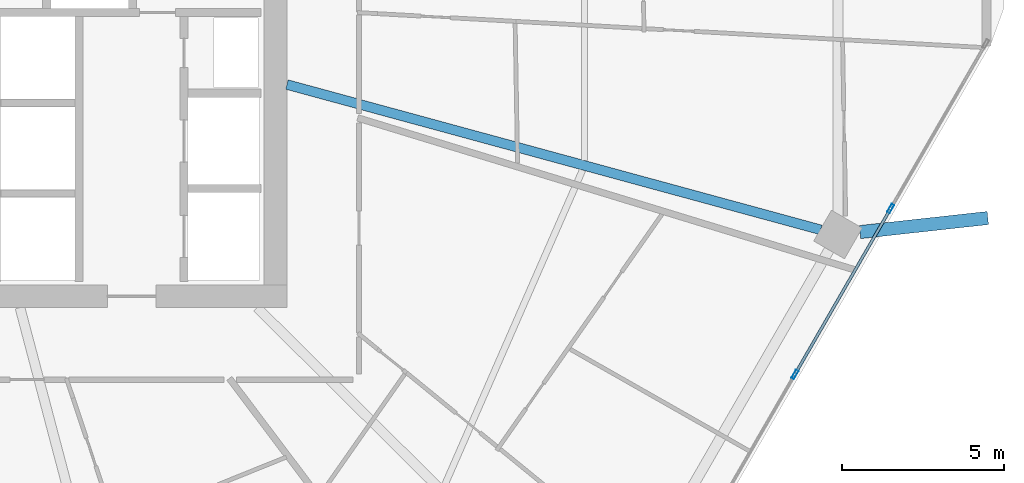
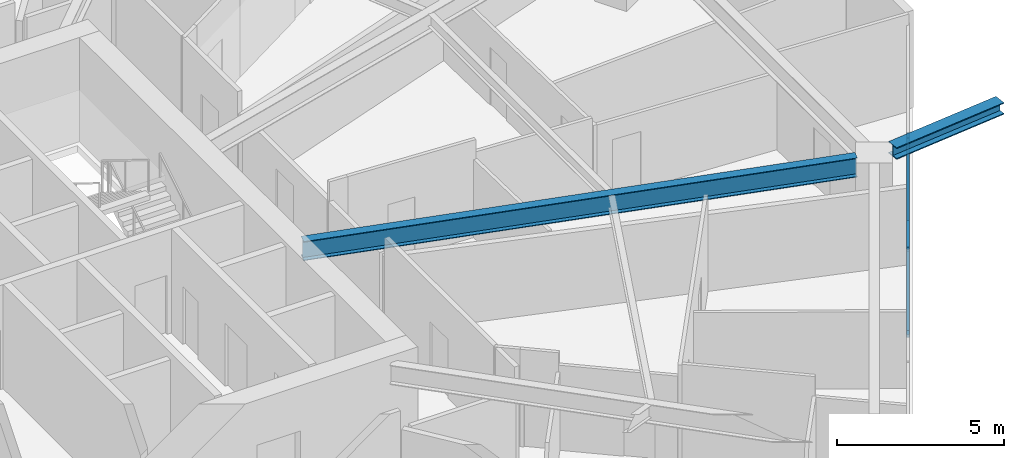
# One storey, part 11 of 33: 4 members, 2 beams, 1 element without a shape of its own.
"""IFC4 building model written with IfcOpenShell, lengths in metres."""

from ifc_helpers import new_model, si_unit, direction, frame, origin, origin_2d, place, context, subcontext, project, spatial, hollow_rectangle, i_section, extrude, material, material_profile, profile_set, type_object, element, aggregate, save


model = new_model("IFC4")

# Units and contexts
model_context = context("Model", 3, precision=1e-05, world=origin(), true_north=direction((0.0, 1.0)))
body_context = subcontext(model_context, "Body", "Model", "MODEL_VIEW")
ifc_project = project(units=[si_unit("LENGTHUNIT", "METRE"), si_unit("AREAUNIT", "SQUARE_METRE"), si_unit("VOLUMEUNIT", "CUBIC_METRE"), si_unit("PLANEANGLEUNIT", "RADIAN"), si_unit("MASSUNIT", "GRAM", prefix="KILO")], contexts=[model_context])

# Site, building, storey
site_placement = place(None, origin())
site = spatial("IfcSite", under=ifc_project, at=site_placement, CompositionType="ELEMENT")
building_placement = place(site_placement, origin())
building = spatial("IfcBuilding", under=site, at=building_placement, Name="Zuhravey Tower", CompositionType="ELEMENT")
storey_placement = place(building_placement, frame((0.0, 0.0, 103.800048828125)))
storey = spatial("IfcBuildingStorey", under=building, at=storey_placement, Name="L25", CompositionType="ELEMENT", Elevation=103.800048828125)

# Curtain wall, members
ifc_material_1 = material(Name="Thermally broken anodised aluminium", Category="aluminium")
curtain_wall_type = type_object("IfcCurtainWallType", Name="Zone 1-2 Residential Curtain Wall CW3", PredefinedType="NOTDEFINED", material=ifc_material_1)
curtain_wall_placement = place(storey_placement, origin())
curtain_wall = element("IfcCurtainWall", 1, at=curtain_wall_placement, inside=storey, type_object=curtain_wall_type, Name="L25 CW3 CW-L25-F6-1", PredefinedType="NOTDEFINED")
ifc_material_2 = material(Name="Anodised aluminium", Category="aluminium")
ifc_material_profile_1 = material_profile(ifc_material_2, hollow_rectangle(XDim=0.090087890625, YDim=0.284912109375, WallThickness=0.0048828125, at=origin_2d()), Name="ALU-RHS-90x285x5")
ifc_profile_set_1 = profile_set([ifc_material_profile_1], Name="Anodised aluminium")
member_type_1 = type_object("IfcMemberType", Name="Curtain-Wall Mullion 90x180", PredefinedType="MULLION", material=ifc_profile_set_1)
member_1_placement = place(storey_placement, frame((65.5185546875, 25.210693359375, 0.0), z_axis=(0.0, 0.0, 1.0), x_axis=(0.86602552265, -0.499999794119, 0.0)))
member_1 = element("IfcMember", 2, at=member_1_placement, type_object=member_type_1, Name="CW3 mullion 2", PredefinedType="MULLION", context=body_context, shape_type="SweptSolid", body=[
    extrude(hollow_rectangle(XDim=0.090087890625, YDim=0.284912109375, WallThickness=0.0048828125, at=origin_2d()), origin(), (0.0, 0.0, 1.0), 3.1220703125),
])
member_2_placement = place(storey_placement, frame((62.55859375, 20.083984375, 0.0), z_axis=(0.0, 0.0, 1.0), x_axis=(0.86602552265, -0.499999794119, 0.0)))
member_2 = element("IfcMember", 3, at=member_2_placement, type_object=member_type_1, Name="CW3 mullion 3", PredefinedType="MULLION", context=body_context, shape_type="SweptSolid", body=[
    extrude(hollow_rectangle(XDim=0.090087890625, YDim=0.284912109375, WallThickness=0.0048828125, at=origin_2d()), origin(), (0.0, 0.0, 1.0), 3.1220703125),
])
ifc_material_profile_2 = material_profile(ifc_material_2, hollow_rectangle(XDim=0.090087890625, YDim=0.14990234375, WallThickness=0.0048828125, at=origin_2d()), Name="ALU-RHS-90x150x5")
ifc_profile_set_2 = profile_set([ifc_material_profile_2], Name="Anodised aluminium")
member_type_2 = type_object("IfcMemberType", Name="Curtain-Wall Transom 90x150", PredefinedType="USERDEFINED", material=ifc_profile_set_2)
member_3_placement = place(storey_placement, frame((65.49609375, 25.171875, 0.044921875), z_axis=(-0.499981042766, -0.866036348472, 0.0), x_axis=(0.866036348472, -0.499981042766, 0.0)))
member_3 = element("IfcMember", 4, at=member_3_placement, type_object=member_type_2, Name="CW3 transom 2.1", ObjectType="TRANSOM", PredefinedType="USERDEFINED", context=body_context, shape_type="SweptSolid", body=[
    extrude(hollow_rectangle(XDim=0.090087890625, YDim=0.14990234375, WallThickness=0.0048828125, at=origin_2d()), origin(), (0.0, 0.0, 1.0), 5.829833984375),
])
member_4_placement = place(storey_placement, frame((65.49609375, 25.171875, 3.076904296875), z_axis=(-0.499981042766, -0.866036348472, 0.0), x_axis=(0.866036348472, -0.499981042766, 0.0)))
member_4 = element("IfcMember", 5, at=member_4_placement, type_object=member_type_2, Name="CW3 transom 2.2", ObjectType="TRANSOM", PredefinedType="USERDEFINED", context=body_context, shape_type="SweptSolid", body=[
    extrude(hollow_rectangle(XDim=0.090087890625, YDim=0.14990234375, WallThickness=0.0048828125, at=origin_2d()), origin(), (0.0, 0.0, 1.0), 5.829833984375),
])
aggregate(curtain_wall, [member_1, member_2, member_3, member_4])

# Beams
ifc_material_3 = material(Name="Steel SM460", Category="steel")
ifc_material_profile_3 = material_profile(ifc_material_3, i_section(OverallWidth=0.406982421875, OverallDepth=0.427978515625, WebThickness=0.02001953125, FlangeThickness=0.034912109375, at=origin_2d()), Name="H-428x407x20x35")
ifc_profile_set_3 = profile_set([ifc_material_profile_3], Name="Steel SM460")
beam_type_1 = type_object("IfcBeamType", Name="Exoskeleton Node Tie Beam H428x407", PredefinedType="BEAM", material=ifc_profile_set_3)
beam_1_placement = place(storey_placement, frame((64.5712890625, 24.4833984375, 3.3359375), z_axis=(0.994005957907, 0.109325914797, 0.0), x_axis=(-0.109325914797, 0.994005957907, 0.0)))
element("IfcBeam", 6, at=beam_1_placement, inside=storey, type_object=beam_type_1, Name="L25 Exoskeleton Node Tie NT1-12", PredefinedType="BEAM", context=body_context, shape_type="SweptSolid", body=[
    extrude(i_section(OverallWidth=0.406982421875, OverallDepth=0.427978515625, WebThickness=0.02001953125, FlangeThickness=0.034912109375, at=origin_2d()), origin(), (0.0, 0.0, 1.0), 3.97509765625),
])
ifc_material_4 = material(Name="Steel SM355", Category="steel")
ifc_material_profile_4 = material_profile(ifc_material_4, i_section(OverallWidth=0.300048828125, OverallDepth=0.699951171875, WebThickness=0.012939453125, FlangeThickness=0.02392578125, at=origin_2d()), Name="H-700x300x13x24")
ifc_profile_set_4 = profile_set([ifc_material_profile_4], Name="Steel SM355")
beam_type_2 = type_object("IfcBeamType", Name="Radial Primary Girder H700x300", PredefinedType="BEAM", material=ifc_profile_set_4)
beam_2_placement = place(storey_placement, frame((46.85302734375, 29.045654296875, 3.199951171875), z_axis=(0.964893166225, -0.262642680791, 0.0), x_axis=(0.262642680791, 0.964893166225, 0.0)))
element("IfcBeam", 7, at=beam_2_placement, inside=storey, type_object=beam_type_2, Name="L25 RG1 BM-L25-RAD-12", PredefinedType="BEAM", context=body_context, shape_type="SweptSolid", body=[
    extrude(i_section(OverallWidth=0.300048828125, OverallDepth=0.699951171875, WebThickness=0.012939453125, FlangeThickness=0.02392578125, at=origin_2d()), origin(), (0.0, 0.0, 1.0), 17.102783203125),
])

save(model, "model.ifc")
